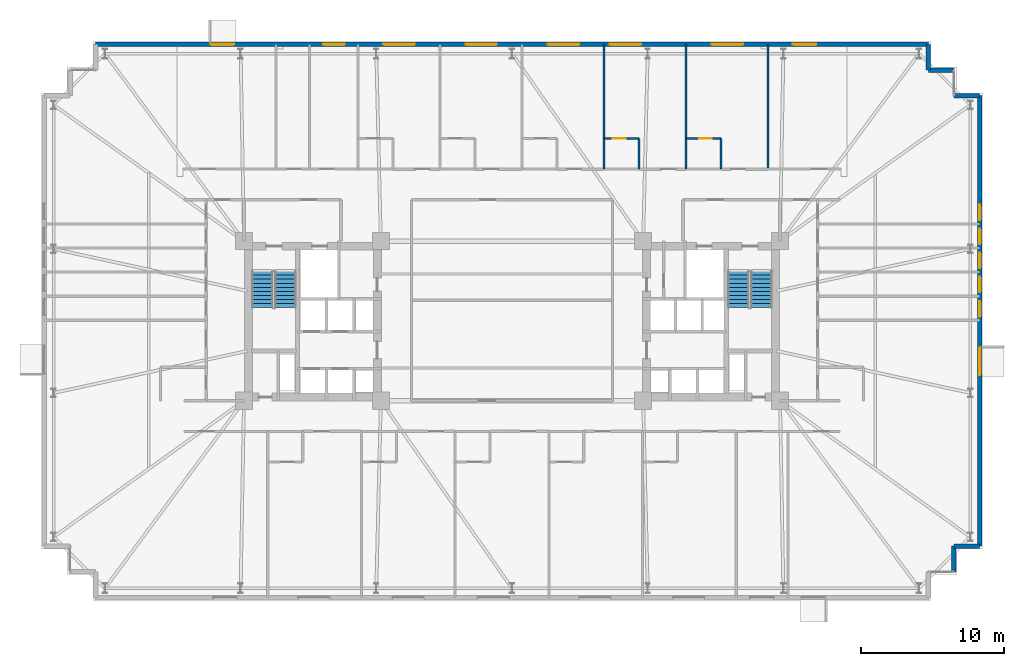
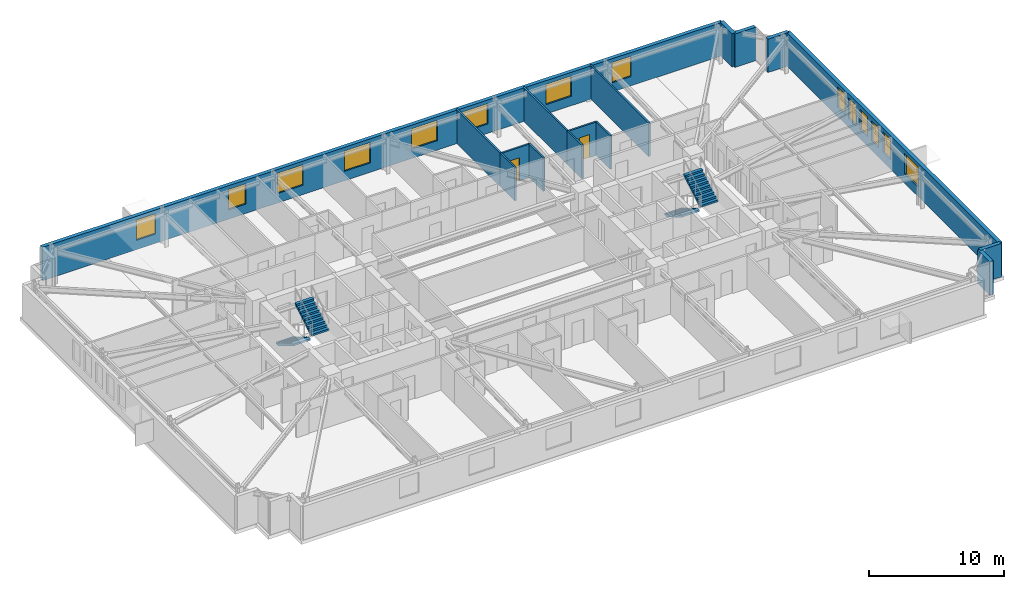
# One storey, part 19 of 22: 16 walls, 14 windows, 4 stair flights, 2 doors, 16 openings, 2 elements without a shape of their own.
"""IFC4 building model written with IfcOpenShell, lengths in metres."""

from ifc_helpers import new_model, si_unit, direction, frame, frame_2d, origin, place, context, subcontext, project, spatial, polyline, rectangle, outline, extrude, material, layer, layer_set, type_object, element, fill, aggregate, save


model = new_model("IFC4")

# Units and contexts
model_context = context("Model", 3, precision=1e-05, world=origin(), true_north=direction((0.0, 1.0)))
body_context = subcontext(model_context, "Body", "Model", "MODEL_VIEW")
ifc_project = project(units=[si_unit("LENGTHUNIT", "METRE"), si_unit("AREAUNIT", "SQUARE_METRE"), si_unit("VOLUMEUNIT", "CUBIC_METRE"), si_unit("PLANEANGLEUNIT", "RADIAN"), si_unit("MASSUNIT", "GRAM", prefix="KILO")], contexts=[model_context])

# Site, building, storey
site_placement = place(None, origin())
site = spatial("IfcSite", under=ifc_project, at=site_placement, CompositionType="ELEMENT")
building_placement = place(site_placement, origin())
building = spatial("IfcBuilding", under=site, at=building_placement, Name="Qobustan Lattice House", CompositionType="ELEMENT")
storey_placement = place(building_placement, frame((0.0, 0.0, 53.800048828125)))
storey = spatial("IfcBuildingStorey", under=building, at=storey_placement, Name="L14", CompositionType="ELEMENT", Elevation=53.800048828125)

# Wall, openings, windows
ifc_material_1 = material(Name="Precast concrete C40/50", Category="concrete")
ifc_layer_1 = layer(ifc_material_1, 0.320068359375)
ifc_layer_set_1 = layer_set([ifc_layer_1], Name="Precast concrete C40/50")
wall_type_1 = type_object("IfcWallType", Name="WAL-EXT-STONE-320", PredefinedType="SOLIDWALL", material=ifc_layer_set_1)
wall_1_placement = place(storey_placement, frame((-29.199951171875, 19.39990234375, 0.0), z_axis=(0.0, 0.0, 1.0), x_axis=(1.0, 0.0, 0.0)))
wall_1 = element("IfcWall", 1, at=wall_1_placement, inside=storey, type_object=wall_type_1, Name="L14 exterior limestone-clad wall 10", PredefinedType="SOLIDWALL", context=body_context, shape_type="SweptSolid", body=[
    extrude(rectangle(XDim=58.39990234375, YDim=0.320068359375, at=frame_2d((29.199951171875, 0.0))), origin(), (0.0, 0.0, 1.0), 3.034912109375),
])
opening_1_placement = place(wall_1_placement, frame((8.0654296875, 0.0, 0.85009765625)))
opening_1 = element("IfcOpeningElement", 2, at=opening_1_placement, cuts=wall_1, Name="Opening WN-09", PredefinedType="OPENING", context=body_context, shape_type="SweptSolid", body=[
    extrude(rectangle(XDim=1.64990234375, YDim=1.85009765625, at=frame_2d((0.824951171875, 0.925048828125))), frame((0.0, 0.169921875, 0.0), z_axis=(0.0, -1.0, 0.0), x_axis=(1.0, 0.0, 0.0)), (0.0, 0.0, 1.0), 0.340087890625),
])
opening_2_placement = place(wall_1_placement, frame((15.969970703125, 0.0, 0.85009765625)))
opening_2 = element("IfcOpeningElement", 3, at=opening_2_placement, cuts=wall_1, Name="Opening WN-01", PredefinedType="OPENING", context=body_context, shape_type="SweptSolid", body=[
    extrude(rectangle(XDim=1.5, YDim=1.85009765625, at=frame_2d((0.75, 0.925048828125))), frame((0.0, 0.169921875, 0.0), z_axis=(0.0, -1.0, 0.0), x_axis=(1.0, 0.0, 0.0)), (0.0, 0.0, 1.0), 0.340087890625),
])
opening_3_placement = place(wall_1_placement, frame((20.179931640625, 0.0, 0.85009765625)))
opening_3 = element("IfcOpeningElement", 4, at=opening_3_placement, cuts=wall_1, Name="Opening WN-03", PredefinedType="OPENING", context=body_context, shape_type="SweptSolid", body=[
    extrude(rectangle(XDim=2.199951171875, YDim=1.85009765625, at=frame_2d((1.10009765625, 0.925048828125))), frame((0.0, 0.169921875, 0.0), z_axis=(0.0, -1.0, 0.0), x_axis=(1.0, 0.0, 0.0)), (0.0, 0.0, 1.0), 0.340087890625),
])
opening_4_placement = place(wall_1_placement, frame((25.93994140625, 0.0, 0.85009765625)))
opening_4 = element("IfcOpeningElement", 5, at=opening_4_placement, cuts=wall_1, Name="Opening WN-03", PredefinedType="OPENING", context=body_context, shape_type="SweptSolid", body=[
    extrude(rectangle(XDim=2.199951171875, YDim=1.85009765625, at=frame_2d((1.10009765625, 0.925048828125))), frame((0.0, 0.169921875, 0.0), z_axis=(0.0, -1.0, 0.0), x_axis=(1.0, 0.0, 0.0)), (0.0, 0.0, 1.0), 0.340087890625),
])
opening_5_placement = place(wall_1_placement, frame((31.699951171875, 0.0, 0.85009765625)))
opening_5 = element("IfcOpeningElement", 6, at=opening_5_placement, cuts=wall_1, Name="Opening WN-03", PredefinedType="OPENING", context=body_context, shape_type="SweptSolid", body=[
    extrude(rectangle(XDim=2.199951171875, YDim=1.85009765625, at=frame_2d((1.10009765625, 0.925048828125))), frame((0.0, 0.169921875, 0.0), z_axis=(0.0, -1.0, 0.0), x_axis=(1.0, 0.0, 0.0)), (0.0, 0.0, 1.0), 0.340087890625),
])
opening_6_placement = place(wall_1_placement, frame((36.055908203125, 0.0, 0.85009765625)))
opening_6 = element("IfcOpeningElement", 7, at=opening_6_placement, cuts=wall_1, Name="Opening WN-03", PredefinedType="OPENING", context=body_context, shape_type="SweptSolid", body=[
    extrude(rectangle(XDim=2.199951171875, YDim=1.85009765625, at=frame_2d((1.10009765625, 0.925048828125))), frame((0.0, 0.169921875, 0.0), z_axis=(0.0, -1.0, 0.0), x_axis=(1.0, 0.0, 0.0)), (0.0, 0.0, 1.0), 0.340087890625),
])
opening_7_placement = place(wall_1_placement, frame((43.219970703125, 0.0, 0.85009765625)))
opening_7 = element("IfcOpeningElement", 8, at=opening_7_placement, cuts=wall_1, Name="Opening WN-03", PredefinedType="OPENING", context=body_context, shape_type="SweptSolid", body=[
    extrude(rectangle(XDim=2.199951171875, YDim=1.85009765625, at=frame_2d((1.10009765625, 0.925048828125))), frame((0.0, 0.169921875, 0.0), z_axis=(0.0, -1.0, 0.0), x_axis=(1.0, 0.0, 0.0)), (0.0, 0.0, 1.0), 0.340087890625),
])
opening_8_placement = place(wall_1_placement, frame((48.89501953125, 0.0, 0.85009765625)))
opening_8 = element("IfcOpeningElement", 9, at=opening_8_placement, cuts=wall_1, Name="Opening WN-09", PredefinedType="OPENING", context=body_context, shape_type="SweptSolid", body=[
    extrude(rectangle(XDim=1.64990234375, YDim=1.85009765625, at=frame_2d((0.824951171875, 0.925048828125))), frame((0.0, 0.169921875, 0.0), z_axis=(0.0, -1.0, 0.0), x_axis=(1.0, 0.0, 0.0)), (0.0, 0.0, 1.0), 0.340087890625),
])
ifc_material_2 = material(Name="Double-glazed low-E aluminium window", Category="aluminium")
window_type_1 = type_object("IfcWindowType", Name="WIN-BED-1500x1850", PartitioningType="SINGLE_PANEL", PredefinedType="WINDOW", material=ifc_material_2)
window_1_placement = place(opening_2_placement, origin())
window_1 = element("IfcWindow", 10, at=window_1_placement, inside=storey, type_object=window_type_1, Name="L14 Laundry utility room window", OverallHeight=1.85009765625, OverallWidth=1.5, PartitioningType="SINGLE_PANEL", PredefinedType="WINDOW", context=body_context, shape_type="SweptSolid", body=[
    extrude(rectangle(XDim=1.5, YDim=1.85009765625, at=frame_2d((0.75, 0.925048828125))), frame((0.0, 0.030029296875, 0.0), z_axis=(0.0, -1.0, 0.0), x_axis=(1.0, 0.0, 0.0)), (0.0, 0.0, 1.0), 0.06005859375),
])
fill(opening_2, window_1)
ifc_material_3 = material(Name="Double-glazed low-E aluminium window", Category="aluminium")
window_type_2 = type_object("IfcWindowType", Name="WIN-STU-1650x1850", PartitioningType="SINGLE_PANEL", PredefinedType="WINDOW", material=ifc_material_3)
window_2_placement = place(opening_1_placement, origin())
window_2 = element("IfcWindow", 11, at=window_2_placement, inside=storey, type_object=window_type_2, Name="L14 Focus study room N1 window", OverallHeight=1.85009765625, OverallWidth=1.64990234375, PartitioningType="SINGLE_PANEL", PredefinedType="WINDOW", context=body_context, shape_type="SweptSolid", body=[
    extrude(rectangle(XDim=1.64990234375, YDim=1.85009765625, at=frame_2d((0.824951171875, 0.925048828125))), frame((0.0, 0.030029296875, 0.0), z_axis=(0.0, -1.0, 0.0), x_axis=(1.0, 0.0, 0.0)), (0.0, 0.0, 1.0), 0.06005859375),
])
fill(opening_1, window_2)
window_3_placement = place(opening_8_placement, origin())
window_3 = element("IfcWindow", 12, at=window_3_placement, inside=storey, type_object=window_type_2, Name="L14 Focus study room N8 window", OverallHeight=1.85009765625, OverallWidth=1.64990234375, PartitioningType="SINGLE_PANEL", PredefinedType="WINDOW", context=body_context, shape_type="SweptSolid", body=[
    extrude(rectangle(XDim=1.64990234375, YDim=1.85009765625, at=frame_2d((0.824951171875, 0.925048828125))), frame((0.0, 0.030029296875, 0.0), z_axis=(0.0, -1.0, 0.0), x_axis=(1.0, 0.0, 0.0)), (0.0, 0.0, 1.0), 0.06005859375),
])
fill(opening_8, window_3)
ifc_material_4 = material(Name="Double-glazed low-E aluminium window", Category="aluminium")
window_type_3 = type_object("IfcWindowType", Name="WIN-WIDE-2200x1850", PartitioningType="SINGLE_PANEL", PredefinedType="WINDOW", material=ifc_material_4)
window_4_placement = place(opening_3_placement, origin())
window_4 = element("IfcWindow", 13, at=window_4_placement, inside=storey, type_object=window_type_3, Name="L14 Kitchenette and studio apartment L14-N3 window", OverallHeight=1.85009765625, OverallWidth=2.199951171875, PartitioningType="SINGLE_PANEL", PredefinedType="WINDOW", context=body_context, shape_type="SweptSolid", body=[
    extrude(rectangle(XDim=2.199951171875, YDim=1.85009765625, at=frame_2d((1.10009765625, 0.925048828125))), frame((0.0, 0.030029296875, 0.0), z_axis=(0.0, -1.0, 0.0), x_axis=(1.0, 0.0, 0.0)), (0.0, 0.0, 1.0), 0.06005859375),
])
fill(opening_3, window_4)
window_5_placement = place(opening_4_placement, origin())
window_5 = element("IfcWindow", 14, at=window_5_placement, inside=storey, type_object=window_type_3, Name="L14 Kitchenette and studio apartment L14-N4 window", OverallHeight=1.85009765625, OverallWidth=2.199951171875, PartitioningType="SINGLE_PANEL", PredefinedType="WINDOW", context=body_context, shape_type="SweptSolid", body=[
    extrude(rectangle(XDim=2.199951171875, YDim=1.85009765625, at=frame_2d((1.10009765625, 0.925048828125))), frame((0.0, 0.030029296875, 0.0), z_axis=(0.0, -1.0, 0.0), x_axis=(1.0, 0.0, 0.0)), (0.0, 0.0, 1.0), 0.06005859375),
])
fill(opening_4, window_5)
window_6_placement = place(opening_5_placement, origin())
window_6 = element("IfcWindow", 15, at=window_6_placement, inside=storey, type_object=window_type_3, Name="L14 Kitchenette and studio apartment L14-N5 window", OverallHeight=1.85009765625, OverallWidth=2.199951171875, PartitioningType="SINGLE_PANEL", PredefinedType="WINDOW", context=body_context, shape_type="SweptSolid", body=[
    extrude(rectangle(XDim=2.199951171875, YDim=1.85009765625, at=frame_2d((1.10009765625, 0.925048828125))), frame((0.0, 0.030029296875, 0.0), z_axis=(0.0, -1.0, 0.0), x_axis=(1.0, 0.0, 0.0)), (0.0, 0.0, 1.0), 0.06005859375),
])
fill(opening_5, window_6)
window_7_placement = place(opening_6_placement, origin())
window_7 = element("IfcWindow", 16, at=window_7_placement, inside=storey, type_object=window_type_3, Name="L14 Kitchenette and studio apartment L14-N6 window", OverallHeight=1.85009765625, OverallWidth=2.199951171875, PartitioningType="SINGLE_PANEL", PredefinedType="WINDOW", context=body_context, shape_type="SweptSolid", body=[
    extrude(rectangle(XDim=2.199951171875, YDim=1.85009765625, at=frame_2d((1.10009765625, 0.925048828125))), frame((0.0, 0.030029296875, 0.0), z_axis=(0.0, -1.0, 0.0), x_axis=(1.0, 0.0, 0.0)), (0.0, 0.0, 1.0), 0.06005859375),
])
fill(opening_6, window_7)
window_8_placement = place(opening_7_placement, origin())
window_8 = element("IfcWindow", 17, at=window_8_placement, inside=storey, type_object=window_type_3, Name="L14 Kitchenette and studio apartment L14-N7 window", OverallHeight=1.85009765625, OverallWidth=2.199951171875, PartitioningType="SINGLE_PANEL", PredefinedType="WINDOW", context=body_context, shape_type="SweptSolid", body=[
    extrude(rectangle(XDim=2.199951171875, YDim=1.85009765625, at=frame_2d((1.10009765625, 0.925048828125))), frame((0.0, 0.030029296875, 0.0), z_axis=(0.0, -1.0, 0.0), x_axis=(1.0, 0.0, 0.0)), (0.0, 0.0, 1.0), 0.06005859375),
])
fill(opening_7, window_8)

# Walls
wall_2_placement = place(storey_placement, frame((29.199951171875, 19.39990234375, 0.0), z_axis=(0.0, 0.0, 1.0), x_axis=(0.0, -1.0, 0.0)))
element("IfcWall", 18, at=wall_2_placement, inside=storey, type_object=wall_type_1, Name="L14 exterior limestone-clad wall 11", PredefinedType="SOLIDWALL", context=body_context, shape_type="SweptSolid", body=[
    extrude(rectangle(XDim=1.7998046875, YDim=0.320068359375, at=frame_2d((0.89990234375, 0.0))), origin(), (0.0, 0.0, 1.0), 3.034912109375),
])
for number, where, z_axis, x_axis, name in (
    (19, (29.199951171875, 17.60009765625, 0.0), (0.0, 0.0, 1.0), (1.0, 0.0, 0.0), "L14 exterior limestone-clad wall 12"),
    (20, (31.0, 15.800048828125, 0.0), (0.0, 0.0, 1.0), (1.0, 0.0, 0.0), "L14 exterior limestone-clad wall 14"),
):
    element("IfcWall", number, at=place(storey_placement, frame(where, z_axis=z_axis, x_axis=x_axis)), inside=storey, type_object=wall_type_1, Name=name, PredefinedType="SOLIDWALL", context=body_context, shape_type="SweptSolid", body=[
        extrude(rectangle(XDim=1.800048828125, YDim=0.320068359375, at=frame_2d((0.89990234375, 0.0))), origin(), (0.0, 0.0, 1.0), 3.034912109375),
    ])

# Wall, openings, windows
wall_3_placement = place(storey_placement, frame((32.800048828125, 15.800048828125, 0.0), z_axis=(0.0, 0.0, 1.0), x_axis=(0.0, -1.0, 0.0)))
wall_3 = element("IfcWall", 21, at=wall_3_placement, inside=storey, type_object=wall_type_1, Name="L14 exterior limestone-clad wall 15", PredefinedType="SOLIDWALL", context=body_context, shape_type="SweptSolid", body=[
    extrude(rectangle(XDim=31.60009765625, YDim=0.320068359375, at=frame_2d((15.800048828125, 0.0))), origin(), (0.0, 0.0, 1.0), 3.034912109375),
])
opening_9_placement = place(wall_3_placement, frame((7.64990234375, 0.0, 0.85009765625)))
opening_9 = element("IfcOpeningElement", 22, at=opening_9_placement, cuts=wall_3, Name="Opening WN-04", PredefinedType="OPENING", context=body_context, shape_type="SweptSolid", body=[
    extrude(rectangle(XDim=1.10009765625, YDim=1.85009765625, at=frame_2d((0.550048828125, 0.925048828125))), frame((0.0, 0.169921875, 0.0), z_axis=(0.0, -1.0, 0.0), x_axis=(1.0, 0.0, 0.0)), (0.0, 0.0, 1.0), 0.340087890625),
])
opening_10_placement = place(wall_3_placement, frame((9.330078125, 0.0, 0.85009765625)))
opening_10 = element("IfcOpeningElement", 23, at=opening_10_placement, cuts=wall_3, Name="Opening WN-04", PredefinedType="OPENING", context=body_context, shape_type="SweptSolid", body=[
    extrude(rectangle(XDim=1.10009765625, YDim=1.85009765625, at=frame_2d((0.550048828125, 0.925048828125))), frame((0.0, 0.169921875, 0.0), z_axis=(0.0, -1.0, 0.0), x_axis=(1.0, 0.0, 0.0)), (0.0, 0.0, 1.0), 0.340087890625),
])
opening_11_placement = place(wall_3_placement, frame((11.010009765625, 0.0, 0.85009765625)))
opening_11 = element("IfcOpeningElement", 24, at=opening_11_placement, cuts=wall_3, Name="Opening WN-04", PredefinedType="OPENING", context=body_context, shape_type="SweptSolid", body=[
    extrude(rectangle(XDim=1.10009765625, YDim=1.85009765625, at=frame_2d((0.550048828125, 0.925048828125))), frame((0.0, 0.169921875, 0.0), z_axis=(0.0, -1.0, 0.0), x_axis=(1.0, 0.0, 0.0)), (0.0, 0.0, 1.0), 0.340087890625),
])
opening_12_placement = place(wall_3_placement, frame((12.68994140625, 0.0, 0.85009765625)))
opening_12 = element("IfcOpeningElement", 25, at=opening_12_placement, cuts=wall_3, Name="Opening WN-04", PredefinedType="OPENING", context=body_context, shape_type="SweptSolid", body=[
    extrude(rectangle(XDim=1.10009765625, YDim=1.85009765625, at=frame_2d((0.550048828125, 0.925048828125))), frame((0.0, 0.169921875, 0.0), z_axis=(0.0, -1.0, 0.0), x_axis=(1.0, 0.0, 0.0)), (0.0, 0.0, 1.0), 0.340087890625),
])
opening_13_placement = place(wall_3_placement, frame((14.409912109375, 0.0, 0.85009765625)))
opening_13 = element("IfcOpeningElement", 26, at=opening_13_placement, cuts=wall_3, Name="Opening WN-04", PredefinedType="OPENING", context=body_context, shape_type="SweptSolid", body=[
    extrude(rectangle(XDim=1.10009765625, YDim=1.85009765625, at=frame_2d((0.550048828125, 0.925048828125))), frame((0.0, 0.169921875, 0.0), z_axis=(0.0, -1.0, 0.0), x_axis=(1.0, 0.0, 0.0)), (0.0, 0.0, 1.0), 0.340087890625),
])
opening_14_placement = place(wall_3_placement, frame((17.6650390625, 0.0, 0.85009765625)))
opening_14 = element("IfcOpeningElement", 27, at=opening_14_placement, cuts=wall_3, Name="Opening WN-08", PredefinedType="OPENING", context=body_context, shape_type="SweptSolid", body=[
    extrude(rectangle(XDim=1.949951171875, YDim=1.85009765625, at=frame_2d((0.97509765625, 0.925048828125))), frame((0.0, 0.169921875, 0.0), z_axis=(0.0, -1.0, 0.0), x_axis=(1.0, 0.0, 0.0)), (0.0, 0.0, 1.0), 0.340087890625),
])
ifc_material_5 = material(Name="Double-glazed low-E aluminium window", Category="aluminium")
window_type_4 = type_object("IfcWindowType", Name="WIN-KIT-1950x1850", PartitioningType="SINGLE_PANEL", PredefinedType="WINDOW", material=ifc_material_5)
window_9_placement = place(opening_14_placement, origin())
window_9 = element("IfcWindow", 28, at=window_9_placement, inside=storey, type_object=window_type_4, Name="L14 Shared kitchen L14E window", OverallHeight=1.85009765625, OverallWidth=1.949951171875, PartitioningType="SINGLE_PANEL", PredefinedType="WINDOW", context=body_context, shape_type="SweptSolid", body=[
    extrude(rectangle(XDim=1.949951171875, YDim=1.85009765625, at=frame_2d((0.97509765625, 0.925048828125))), frame((0.0, 0.030029296875, 0.0), z_axis=(0.0, -1.0, 0.0), x_axis=(1.0, 0.0, 0.0)), (0.0, 0.0, 1.0), 0.06005859375),
])
fill(opening_14, window_9)
ifc_material_6 = material(Name="Double-glazed low-E aluminium window", Category="aluminium")
window_type_5 = type_object("IfcWindowType", Name="WIN-NAR-1100x1850", PartitioningType="SINGLE_PANEL", PredefinedType="WINDOW", material=ifc_material_6)
window_10_placement = place(opening_9_placement, origin())
window_10 = element("IfcWindow", 29, at=window_10_placement, inside=storey, type_object=window_type_5, Name="L14 Cluster bedroom L14E5 window", OverallHeight=1.85009765625, OverallWidth=1.10009765625, PartitioningType="SINGLE_PANEL", PredefinedType="WINDOW", context=body_context, shape_type="SweptSolid", body=[
    extrude(rectangle(XDim=1.10009765625, YDim=1.85009765625, at=frame_2d((0.550048828125, 0.925048828125))), frame((0.0, 0.030029296875, 0.0), z_axis=(0.0, -1.0, 0.0), x_axis=(1.0, 0.0, 0.0)), (0.0, 0.0, 1.0), 0.06005859375),
])
fill(opening_9, window_10)
window_11_placement = place(opening_10_placement, origin())
window_11 = element("IfcWindow", 30, at=window_11_placement, inside=storey, type_object=window_type_5, Name="L14 Cluster bedroom L14E4 window", OverallHeight=1.85009765625, OverallWidth=1.10009765625, PartitioningType="SINGLE_PANEL", PredefinedType="WINDOW", context=body_context, shape_type="SweptSolid", body=[
    extrude(rectangle(XDim=1.10009765625, YDim=1.85009765625, at=frame_2d((0.550048828125, 0.925048828125))), frame((0.0, 0.030029296875, 0.0), z_axis=(0.0, -1.0, 0.0), x_axis=(1.0, 0.0, 0.0)), (0.0, 0.0, 1.0), 0.06005859375),
])
fill(opening_10, window_11)
window_12_placement = place(opening_11_placement, origin())
window_12 = element("IfcWindow", 31, at=window_12_placement, inside=storey, type_object=window_type_5, Name="L14 Cluster bedroom L14E3 window", OverallHeight=1.85009765625, OverallWidth=1.10009765625, PartitioningType="SINGLE_PANEL", PredefinedType="WINDOW", context=body_context, shape_type="SweptSolid", body=[
    extrude(rectangle(XDim=1.10009765625, YDim=1.85009765625, at=frame_2d((0.550048828125, 0.925048828125))), frame((0.0, 0.030029296875, 0.0), z_axis=(0.0, -1.0, 0.0), x_axis=(1.0, 0.0, 0.0)), (0.0, 0.0, 1.0), 0.06005859375),
])
fill(opening_11, window_12)
window_13_placement = place(opening_12_placement, origin())
window_13 = element("IfcWindow", 32, at=window_13_placement, inside=storey, type_object=window_type_5, Name="L14 Cluster bedroom L14E2 window", OverallHeight=1.85009765625, OverallWidth=1.10009765625, PartitioningType="SINGLE_PANEL", PredefinedType="WINDOW", context=body_context, shape_type="SweptSolid", body=[
    extrude(rectangle(XDim=1.10009765625, YDim=1.85009765625, at=frame_2d((0.550048828125, 0.925048828125))), frame((0.0, 0.030029296875, 0.0), z_axis=(0.0, -1.0, 0.0), x_axis=(1.0, 0.0, 0.0)), (0.0, 0.0, 1.0), 0.06005859375),
])
fill(opening_12, window_13)
window_14_placement = place(opening_13_placement, origin())
window_14 = element("IfcWindow", 33, at=window_14_placement, inside=storey, type_object=window_type_5, Name="L14 Cluster bedroom L14E1 window", OverallHeight=1.85009765625, OverallWidth=1.10009765625, PartitioningType="SINGLE_PANEL", PredefinedType="WINDOW", context=body_context, shape_type="SweptSolid", body=[
    extrude(rectangle(XDim=1.10009765625, YDim=1.85009765625, at=frame_2d((0.550048828125, 0.925048828125))), frame((0.0, 0.030029296875, 0.0), z_axis=(0.0, -1.0, 0.0), x_axis=(1.0, 0.0, 0.0)), (0.0, 0.0, 1.0), 0.06005859375),
])
fill(opening_13, window_14)

# Walls
for number, where, z_axis, x_axis, name in (
    (34, (32.800048828125, -15.800048828125, 0.0), (0.0, 0.0, 1.0), (-1.0, 0.0, 0.0), "L14 exterior limestone-clad wall 16"),
    (35, (31.0, -15.800048828125, 0.0), (0.0, 0.0, 1.0), (0.0, -1.0, 0.0), "L14 exterior limestone-clad wall 17"),
):
    element("IfcWall", number, at=place(storey_placement, frame(where, z_axis=z_axis, x_axis=x_axis)), inside=storey, type_object=wall_type_1, Name=name, PredefinedType="SOLIDWALL", context=body_context, shape_type="SweptSolid", body=[
        extrude(rectangle(XDim=1.800048828125, YDim=0.320068359375, at=frame_2d((0.89990234375, 0.0))), origin(), (0.0, 0.0, 1.0), 3.034912109375),
    ])
ifc_material_7 = material(Name="Acoustic twin-stud gypsum partition", Category="gypsum")
ifc_layer_2 = layer(ifc_material_7, 0.14990234375)
ifc_layer_set_2 = layer_set([ifc_layer_2], Name="Acoustic twin-stud gypsum partition")
wall_type_2 = type_object("IfcWallType", Name="WAL-PART-150", PredefinedType="PARTITIONING", material=ifc_layer_set_2)
for number, where, z_axis, x_axis, name in (
    (36, (6.449951171875, 19.39990234375, 0.0), (0.0, 0.0, 1.0), (0.0, -1.0, 0.0), "L14 interior partition 123"),
    (37, (12.199951171875, 19.39990234375, 0.0), (0.0, 0.0, 1.0), (0.0, -1.0, 0.0), "L14 interior partition 127"),
):
    element("IfcWall", number, at=place(storey_placement, frame(where, z_axis=z_axis, x_axis=x_axis)), inside=storey, type_object=wall_type_2, Name=name, PredefinedType="PARTITIONING", context=body_context, shape_type="SweptSolid", body=[
        extrude(rectangle(XDim=6.599853515625, YDim=0.14990234375, at=frame_2d((3.2998046875, 0.0))), origin(), (0.0, 0.0, 1.0), 3.034912109375),
    ])
wall_4_placement = place(storey_placement, frame((17.949951171875, 19.39990234375, 0.0), z_axis=(0.0, 0.0, 1.0), x_axis=(0.0, -1.0, 0.0)))
element("IfcWall", 38, at=wall_4_placement, inside=storey, type_object=wall_type_2, Name="L14 interior partition 131", PredefinedType="PARTITIONING", context=body_context, shape_type="SweptSolid", body=[
    extrude(rectangle(XDim=8.75, YDim=0.14990234375, at=frame_2d((4.375, 0.0))), origin(), (0.0, 0.0, 1.0), 3.034912109375),
])
ifc_material_8 = material(Name="Moisture-resistant acoustic plumbing wall", Category="gypsum")
ifc_layer_3 = layer(ifc_material_8, 0.14990234375)
ifc_layer_set_3 = layer_set([ifc_layer_3], Name="Moisture-resistant acoustic plumbing wall")
wall_type_3 = type_object("IfcWallType", Name="WAL-WET-150", PredefinedType="PLUMBINGWALL", material=ifc_layer_set_3)
wall_5_placement = place(storey_placement, frame((6.449951171875, 12.800048828125, 0.0), z_axis=(0.0, 0.0, 1.0), x_axis=(0.0, -1.0, 0.0)))
element("IfcWall", 39, at=wall_5_placement, inside=storey, type_object=wall_type_3, Name="L14 interior partition 124", PredefinedType="PLUMBINGWALL", context=body_context, shape_type="SweptSolid", body=[
    extrude(rectangle(XDim=2.150146484375, YDim=0.14990234375, at=frame_2d((1.0751953125, 0.0))), origin(), (0.0, 0.0, 1.0), 3.034912109375),
])

# Wall, opening, door
wall_6_placement = place(storey_placement, frame((8.89990234375, 12.800048828125, 0.0), z_axis=(0.0, 0.0, 1.0), x_axis=(-1.0, 0.0, 0.0)))
wall_6 = element("IfcWall", 40, at=wall_6_placement, inside=storey, type_object=wall_type_3, Name="L14 interior partition 125", PredefinedType="PLUMBINGWALL", context=body_context, shape_type="SweptSolid", body=[
    extrude(rectangle(XDim=2.449951171875, YDim=0.14990234375, at=frame_2d((1.22509765625, 0.0))), origin(), (0.0, 0.0, 1.0), 3.034912109375),
])
opening_15_placement = place(wall_6_placement, frame((0.92138671875, 0.0, 0.0)))
opening_15 = element("IfcOpeningElement", 41, at=opening_15_placement, cuts=wall_6, Name="Opening WD-01", PredefinedType="OPENING", context=body_context, shape_type="SweptSolid", body=[
    extrude(rectangle(XDim=0.89990234375, YDim=2.10009765625, at=frame_2d((0.449951171875, 1.050048828125))), frame((0.0, 0.0849609375, 0.0), z_axis=(0.0, -1.0, 0.0), x_axis=(1.0, 0.0, 0.0)), (0.0, 0.0, 1.0), 0.169921875),
])
ifc_material_9 = material(Name="Persian walnut timber and steel frame door", Category="steel")
door_type = type_object("IfcDoorType", Name="DOR-WET-900x2100", OperationType="NOTDEFINED", PredefinedType="DOOR", material=ifc_material_9)
door_1_placement = place(opening_15_placement, origin())
door_1 = element("IfcDoor", 42, at=door_1_placement, inside=storey, type_object=door_type, Name="L14 Kitchenette and studio apartment L14-N6 to En-suite bathroom L14-N6 door", OperationType="SINGLE_SWING_LEFT", OverallHeight=2.10009765625, OverallWidth=0.89990234375, PredefinedType="DOOR", context=body_context, shape_type="SweptSolid", body=[
    extrude(rectangle(XDim=0.89990234375, YDim=2.10009765625, at=frame_2d((0.449951171875, 1.050048828125))), frame((0.0, 0.02490234375, 0.0), z_axis=(0.0, -1.0, 0.0), x_axis=(1.0, 0.0, 0.0)), (0.0, 0.0, 1.0), 0.050048828125),
])
fill(opening_15, door_1)

# Walls
for number, where, z_axis, x_axis, name in (
    (43, (8.89990234375, 10.64990234375, 0.0), (0.0, 0.0, 1.0), (0.0, 1.0, 0.0), "L14 interior partition 126"),
    (44, (12.199951171875, 12.800048828125, 0.0), (0.0, 0.0, 1.0), (0.0, -1.0, 0.0), "L14 interior partition 128"),
):
    element("IfcWall", number, at=place(storey_placement, frame(where, z_axis=z_axis, x_axis=x_axis)), inside=storey, type_object=wall_type_3, Name=name, PredefinedType="PLUMBINGWALL", context=body_context, shape_type="SweptSolid", body=[
        extrude(rectangle(XDim=2.150146484375, YDim=0.14990234375, at=frame_2d((1.0751953125, 0.0))), origin(), (0.0, 0.0, 1.0), 3.034912109375),
    ])

# Wall, opening, door
wall_7_placement = place(storey_placement, frame((14.64990234375, 12.800048828125, 0.0), z_axis=(0.0, 0.0, 1.0), x_axis=(-1.0, 0.0, 0.0)))
wall_7 = element("IfcWall", 45, at=wall_7_placement, inside=storey, type_object=wall_type_3, Name="L14 interior partition 129", PredefinedType="PLUMBINGWALL", context=body_context, shape_type="SweptSolid", body=[
    extrude(rectangle(XDim=2.449951171875, YDim=0.14990234375, at=frame_2d((1.22509765625, 0.0))), origin(), (0.0, 0.0, 1.0), 3.034912109375),
])
opening_16_placement = place(wall_7_placement, frame((0.62890625, 0.0, 0.0)))
opening_16 = element("IfcOpeningElement", 46, at=opening_16_placement, cuts=wall_7, Name="Opening WD-01", PredefinedType="OPENING", context=body_context, shape_type="SweptSolid", body=[
    extrude(rectangle(XDim=0.89990234375, YDim=2.10009765625, at=frame_2d((0.449951171875, 1.050048828125))), frame((0.0, 0.0849609375, 0.0), z_axis=(0.0, -1.0, 0.0), x_axis=(1.0, 0.0, 0.0)), (0.0, 0.0, 1.0), 0.169921875),
])
door_2_placement = place(opening_16_placement, origin())
door_2 = element("IfcDoor", 47, at=door_2_placement, inside=storey, type_object=door_type, Name="L14 Kitchenette and studio apartment L14-N7 to En-suite bathroom L14-N7 door", OperationType="SINGLE_SWING_RIGHT", OverallHeight=2.10009765625, OverallWidth=0.89990234375, PredefinedType="DOOR", context=body_context, shape_type="SweptSolid", body=[
    extrude(rectangle(XDim=0.89990234375, YDim=2.10009765625, at=frame_2d((0.449951171875, 1.050048828125))), frame((0.0, 0.02490234375, 0.0), z_axis=(0.0, -1.0, 0.0), x_axis=(1.0, 0.0, 0.0)), (0.0, 0.0, 1.0), 0.050048828125),
])
fill(opening_16, door_2)

# Wall
wall_8_placement = place(storey_placement, frame((14.64990234375, 10.64990234375, 0.0), z_axis=(0.0, 0.0, 1.0), x_axis=(0.0, 1.0, 0.0)))
element("IfcWall", 48, at=wall_8_placement, inside=storey, type_object=wall_type_3, Name="L14 interior partition 130", PredefinedType="PLUMBINGWALL", context=body_context, shape_type="SweptSolid", body=[
    extrude(rectangle(XDim=2.150146484375, YDim=0.14990234375, at=frame_2d((1.0751953125, 0.0))), origin(), (0.0, 0.0, 1.0), 3.034912109375),
])

# Stair, stair flights
ifc_material_10 = material(Name="Concrete C40/50", Category="concrete")
stair_type = type_object("IfcStairType", Name="STR-CORE-DOGLEG", PredefinedType="HALF_TURN_STAIR", material=ifc_material_10)
stair_1_placement = place(storey_placement, origin())
stair_1 = element("IfcStair", 49, at=stair_1_placement, inside=storey, type_object=stair_type, Name="L14 West protected exit stair ST-W1", PredefinedType="HALF_TURN_STAIR")
ifc_material_11 = material(Name="Concrete C40/50", Category="concrete")
stair_flight_type = type_object("IfcStairFlightType", Name="SFL-RC-1500", PredefinedType="STRAIGHT", material=ifc_material_11)
stair_flight_1_placement = place(storey_placement, frame((-17.5, 3.5, 0.0), z_axis=(0.0, 0.0, 1.0), x_axis=(0.0, -1.0, 0.0)))
stair_flight_1 = element("IfcStairFlight", 50, at=stair_flight_1_placement, type_object=stair_flight_type, Name="ST-W1 flight 1", NumberOfRisers=10, NumberOfTreads=9, PredefinedType="STRAIGHT", RiserHeight=0.1675, TreadLength=0.285, context=body_context, shape_type="SweptSolid", body=[
    extrude(outline(polyline([(0.0, 0.0), (0.0, 0.16748046875), (0.284912109375, 0.16748046875), (0.284912109375, 0.3349609375), (0.570068359375, 0.3349609375), (0.570068359375, 0.50244140625), (0.85498046875, 0.50244140625), (0.85498046875, 0.669921875), (1.139892578125, 0.669921875), (1.139892578125, 0.83740234375), (1.425048828125, 0.83740234375), (1.425048828125, 1.0048828125), (1.7099609375, 1.0048828125), (1.7099609375, 1.172607421875), (1.9951171875, 1.172607421875), (1.9951171875, 1.340087890625), (2.280029296875, 1.340087890625), (2.280029296875, 1.507568359375), (2.56494140625, 1.507568359375), (2.56494140625, 1.675048828125), (2.56494140625, 1.333740234375), (0.2958984375, 0.0), (0.0, 0.0)])), frame((0.0, 0.75, 0.0), z_axis=(0.0, -1.0, 0.0), x_axis=(1.0, 0.0, 0.0)), (0.0, 0.0, 1.0), 1.5),
])
stair_flight_2_placement = place(storey_placement, frame((-15.8798828125, 0.93505859375, 1.675048828125), z_axis=(0.0, 0.0, 1.0), x_axis=(0.0, 1.0, 0.0)))
stair_flight_2 = element("IfcStairFlight", 51, at=stair_flight_2_placement, type_object=stair_flight_type, Name="ST-W1 flight 2", NumberOfRisers=10, NumberOfTreads=9, PredefinedType="STRAIGHT", RiserHeight=0.1675, TreadLength=0.285, context=body_context, shape_type="SweptSolid", body=[
    extrude(outline(polyline([(0.0, 0.0), (0.0, 0.16748046875), (0.284912109375, 0.16748046875), (0.284912109375, 0.3349609375), (0.570068359375, 0.3349609375), (0.570068359375, 0.50244140625), (0.85498046875, 0.50244140625), (0.85498046875, 0.669921875), (1.139892578125, 0.669921875), (1.139892578125, 0.83740234375), (1.425048828125, 0.83740234375), (1.425048828125, 1.0048828125), (1.7099609375, 1.0048828125), (1.7099609375, 1.172607421875), (1.9951171875, 1.172607421875), (1.9951171875, 1.340087890625), (2.280029296875, 1.340087890625), (2.280029296875, 1.507568359375), (2.56494140625, 1.507568359375), (2.56494140625, 1.675048828125), (2.56494140625, 1.333740234375), (0.2958984375, 0.0), (0.0, 0.0)])), frame((0.0, 0.75, 0.0), z_axis=(0.0, -1.0, 0.0), x_axis=(1.0, 0.0, 0.0)), (0.0, 0.0, 1.0), 1.5),
])
aggregate(stair_1, [stair_flight_1, stair_flight_2])

stair_2_placement = place(storey_placement, origin())
stair_2 = element("IfcStair", 52, at=stair_2_placement, inside=storey, type_object=stair_type, Name="L14 East protected exit stair ST-E1", PredefinedType="HALF_TURN_STAIR")
stair_flight_3_placement = place(storey_placement, frame((15.8798828125, 3.5, 0.0), z_axis=(0.0, 0.0, 1.0), x_axis=(0.0, -1.0, 0.0)))
stair_flight_3 = element("IfcStairFlight", 53, at=stair_flight_3_placement, type_object=stair_flight_type, Name="ST-E1 flight 1", NumberOfRisers=10, NumberOfTreads=9, PredefinedType="STRAIGHT", RiserHeight=0.1675, TreadLength=0.285, context=body_context, shape_type="SweptSolid", body=[
    extrude(outline(polyline([(0.0, 0.0), (0.0, 0.16748046875), (0.284912109375, 0.16748046875), (0.284912109375, 0.3349609375), (0.570068359375, 0.3349609375), (0.570068359375, 0.50244140625), (0.85498046875, 0.50244140625), (0.85498046875, 0.669921875), (1.139892578125, 0.669921875), (1.139892578125, 0.83740234375), (1.425048828125, 0.83740234375), (1.425048828125, 1.0048828125), (1.7099609375, 1.0048828125), (1.7099609375, 1.172607421875), (1.9951171875, 1.172607421875), (1.9951171875, 1.340087890625), (2.280029296875, 1.340087890625), (2.280029296875, 1.507568359375), (2.56494140625, 1.507568359375), (2.56494140625, 1.675048828125), (2.56494140625, 1.333740234375), (0.2958984375, 0.0), (0.0, 0.0)])), frame((0.0, 0.75, 0.0), z_axis=(0.0, -1.0, 0.0), x_axis=(1.0, 0.0, 0.0)), (0.0, 0.0, 1.0), 1.5),
])
stair_flight_4_placement = place(storey_placement, frame((17.5, 0.93505859375, 1.675048828125), z_axis=(0.0, 0.0, 1.0), x_axis=(0.0, 1.0, 0.0)))
stair_flight_4 = element("IfcStairFlight", 54, at=stair_flight_4_placement, type_object=stair_flight_type, Name="ST-E1 flight 2", NumberOfRisers=10, NumberOfTreads=9, PredefinedType="STRAIGHT", RiserHeight=0.1675, TreadLength=0.285, context=body_context, shape_type="SweptSolid", body=[
    extrude(outline(polyline([(0.0, 0.0), (0.0, 0.16748046875), (0.284912109375, 0.16748046875), (0.284912109375, 0.3349609375), (0.570068359375, 0.3349609375), (0.570068359375, 0.50244140625), (0.85498046875, 0.50244140625), (0.85498046875, 0.669921875), (1.139892578125, 0.669921875), (1.139892578125, 0.83740234375), (1.425048828125, 0.83740234375), (1.425048828125, 1.0048828125), (1.7099609375, 1.0048828125), (1.7099609375, 1.172607421875), (1.9951171875, 1.172607421875), (1.9951171875, 1.340087890625), (2.280029296875, 1.340087890625), (2.280029296875, 1.507568359375), (2.56494140625, 1.507568359375), (2.56494140625, 1.675048828125), (2.56494140625, 1.333740234375), (0.2958984375, 0.0), (0.0, 0.0)])), frame((0.0, 0.75, 0.0), z_axis=(0.0, -1.0, 0.0), x_axis=(1.0, 0.0, 0.0)), (0.0, 0.0, 1.0), 1.5),
])
aggregate(stair_2, [stair_flight_3, stair_flight_4])

save(model, "model.ifc")
